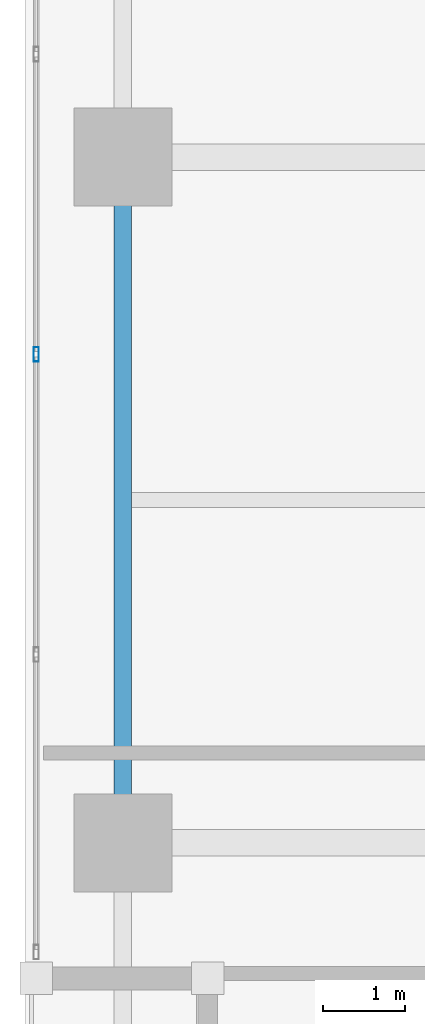
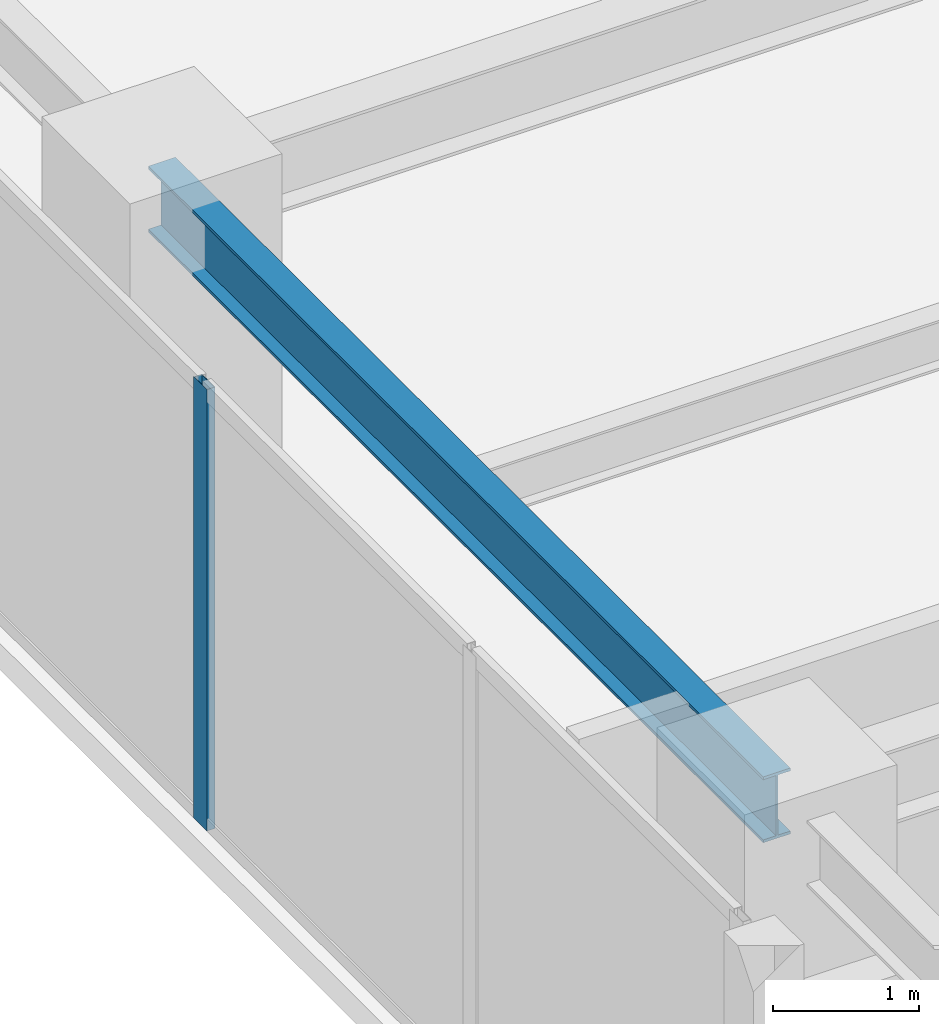
# One storey, part 5 of 30: 1 beam, 1 member, 1 element without a shape of its own.
"""IFC4 building model written with IfcOpenShell, lengths in metres."""

from ifc_helpers import new_model, si_unit, direction, frame, origin, origin_2d, place, context, subcontext, project, spatial, hollow_rectangle, i_section, extrude, material, layer, layer_set, material_profile, profile_set, type_object, element, aggregate, save


model = new_model("IFC4")

# Units and contexts
model_context = context("Model", 3, precision=1e-05, world=origin(), true_north=direction((0.0, 1.0)))
body_context = subcontext(model_context, "Body", "Model", "MODEL_VIEW")
ifc_project = project(units=[si_unit("LENGTHUNIT", "METRE"), si_unit("AREAUNIT", "SQUARE_METRE"), si_unit("VOLUMEUNIT", "CUBIC_METRE"), si_unit("PLANEANGLEUNIT", "RADIAN"), si_unit("MASSUNIT", "GRAM", prefix="KILO")], contexts=[model_context])

# Site, building, storey
site_placement = place(None, origin())
site = spatial("IfcSite", under=ifc_project, at=site_placement, CompositionType="ELEMENT")
building_placement = place(site_placement, origin())
building = spatial("IfcBuilding", under=site, at=building_placement, Name="Kiyonajd Concourse Tower", CompositionType="ELEMENT")
storey_placement = place(building_placement, frame((0.0, 0.0, 190.199951171875)))
storey = spatial("IfcBuildingStorey", under=building, at=storey_placement, Name="L48", CompositionType="ELEMENT", Elevation=190.199951171875)

# Beam
ifc_material_1 = material(Name="Steel ASTM A992 Grade 50", Category="steel")
ifc_material_profile_1 = material_profile(ifc_material_1, i_section(OverallWidth=0.214111328125, OverallDepth=0.549072265625, WebThickness=0.0146484375, FlangeThickness=0.023681640625, at=origin_2d()), Name="W530X138")
ifc_profile_set_1 = profile_set([ifc_material_profile_1], Name="Steel ASTM A992 Grade 50")
beam_type = type_object("IfcBeamType", Name="BM-SPAN-530A", PredefinedType="SPANDREL", material=ifc_profile_set_1)
beam_placement = place(storey_placement, frame((19.199951171875, 44.39990234375, 3.405517578125), z_axis=(0.0, -1.0, 0.0), x_axis=(1.0, 0.0, 0.0)))
element("IfcBeam", 1, at=beam_placement, inside=storey, type_object=beam_type, Name="L48 Perimeter Bundled Tube Spandrel", PredefinedType="SPANDREL", context=body_context, shape_type="SweptSolid", body=[
    extrude(i_section(OverallWidth=0.214111328125, OverallDepth=0.549072265625, WebThickness=0.0146484375, FlangeThickness=0.023681640625, at=origin_2d()), origin(), (0.0, 0.0, 1.0), 8.39990234375),
])

# Curtain wall, member
ifc_material_2 = material(Name="Thermally Broken Anodised Aluminium", Category="aluminium")
ifc_layer = layer(ifc_material_2, 0.179931640625)
ifc_layer_set = layer_set([ifc_layer], Name="Thermally Broken Anodised Aluminium")
curtain_wall_type = type_object("IfcCurtainWallType", Name="CW-SYS-03", PredefinedType="NOTDEFINED", material=ifc_layer_set)
curtain_wall_placement = place(storey_placement, origin())
curtain_wall = element("IfcCurtainWall", 2, at=curtain_wall_placement, inside=storey, type_object=curtain_wall_type, Name="L48 Unitised Curtain Wall CW3", PredefinedType="NOTDEFINED")
ifc_material_profile_2 = material_profile(ifc_material_2, hollow_rectangle(XDim=0.06494140625, YDim=0.179931640625, WallThickness=0.00390625, at=origin_2d()), Name="MULL-65x180")
ifc_profile_set_2 = profile_set([ifc_material_profile_2], Name="Thermally Broken Anodised Aluminium")
member_type = type_object("IfcMemberType", Name="MB-CW-MULL1", PredefinedType="MULLION", material=ifc_profile_set_2)
member_placement = place(storey_placement, frame((18.139892578125, 41.98388671875, 0.0), z_axis=(0.0, 0.0, 1.0), x_axis=(-1.0, 0.0, 0.0)))
member = element("IfcMember", 3, at=member_placement, type_object=member_type, Name="CW3 mullion 3", PredefinedType="MULLION", context=body_context, shape_type="SweptSolid", body=[
    extrude(hollow_rectangle(XDim=0.06494140625, YDim=0.179931640625, WallThickness=0.00390625, at=origin_2d()), origin(), (0.0, 0.0, 1.0), 3.679931640625),
])
aggregate(curtain_wall, [member])

save(model, "model.ifc")
